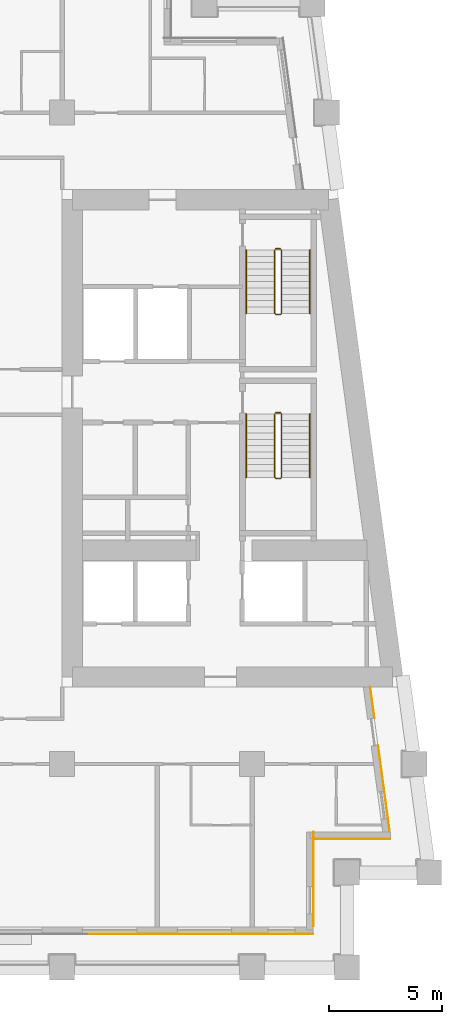
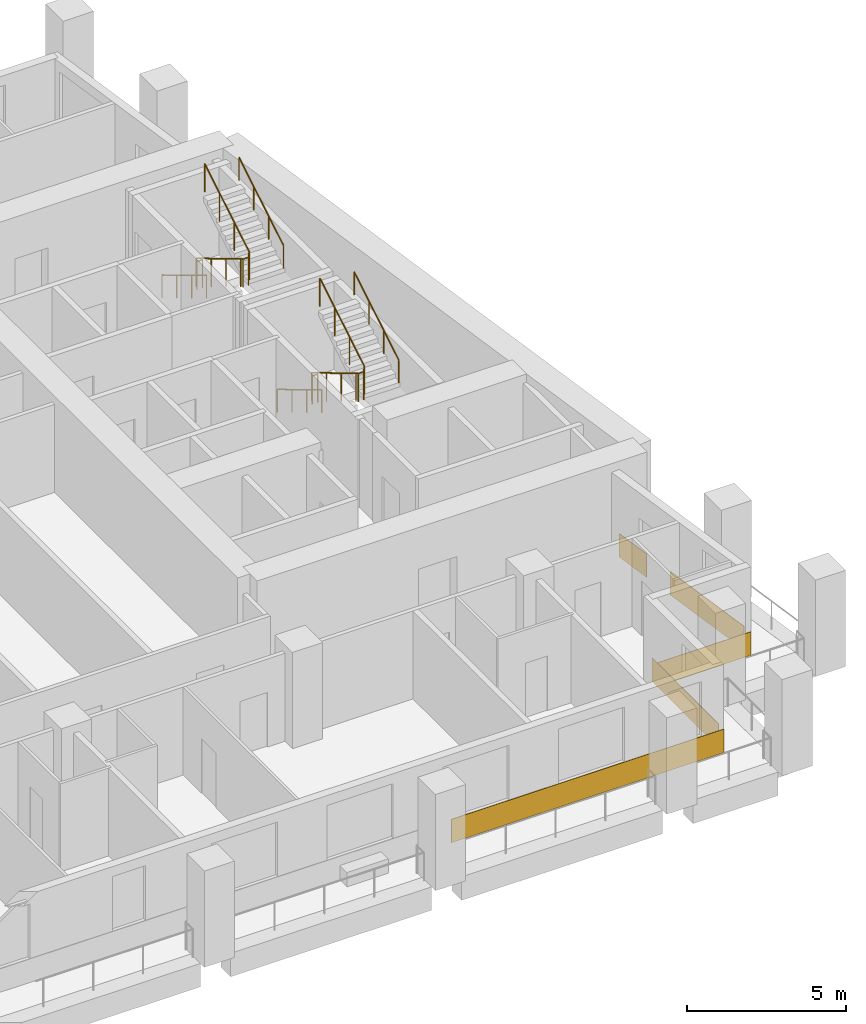
# One storey, part 11 of 13: 8 railings, 5 coverings.
"""IFC4 building model written with IfcOpenShell, lengths in metres."""

from ifc_helpers import new_model, si_unit, direction, frame, origin, origin_2d, place, context, subcontext, project, spatial, rectangle, circle, extrude, material, layer, layer_set, type_object, element, save


model = new_model("IFC4")

# Units and contexts
model_context = context("Model", 3, precision=1e-05, world=origin(), true_north=direction((0.0, 1.0)))
body_context = subcontext(model_context, "Body", "Model", "MODEL_VIEW")
ifc_project = project(units=[si_unit("LENGTHUNIT", "METRE"), si_unit("AREAUNIT", "SQUARE_METRE"), si_unit("VOLUMEUNIT", "CUBIC_METRE"), si_unit("PLANEANGLEUNIT", "RADIAN"), si_unit("MASSUNIT", "GRAM", prefix="KILO")], contexts=[model_context])

# Site, building, storey
site_placement = place(None, origin())
site = spatial("IfcSite", under=ifc_project, at=site_placement, CompositionType="ELEMENT")
building_placement = place(site_placement, origin())
building = spatial("IfcBuilding", under=site, at=building_placement, Name="Candeia Pilgrim Tower and Theatre", CompositionType="ELEMENT")
storey_placement = place(building_placement, frame((0.0, 0.0, 151.5)))
storey = spatial("IfcBuildingStorey", under=building, at=storey_placement, Name="L35", CompositionType="ELEMENT", Elevation=151.5)

# Coverings
ifc_material_1 = material(Name="Glazed ceramic tile rust")
ifc_layer = layer(ifc_material_1, 0.02001953125)
ifc_layer_set = layer_set([ifc_layer], Name="Glazed ceramic tile rust")
covering_type = type_object("IfcCoveringType", Name="Glazed ceramic tile rust", PredefinedType="CLADDING", material=ifc_layer_set)
covering_1_placement = place(storey_placement, frame((132.14990234375, 99.489990234375, 0.0), z_axis=(0.0, 0.0, 1.0), x_axis=(1.0, 0.0, 0.0)))
element("IfcCovering", 1, at=covering_1_placement, inside=storey, type_object=covering_type, Name="Tile cladding rust L35", PredefinedType="CLADDING", context=body_context, shape_type="SweptSolid", body=[
    extrude(rectangle(XDim=9.89990234375, YDim=0.02001953125, at=origin_2d()), origin(), (0.0, 0.0, 1.0), 0.89990234375),
])
covering_2_placement = place(storey_placement, frame((137.110107421875, 101.909912109375, 0.0), z_axis=(0.0, 0.0, 1.0), x_axis=(0.0, 1.0, 0.0)))
element("IfcCovering", 2, at=covering_2_placement, inside=storey, type_object=covering_type, Name="Tile cladding rust L35", PredefinedType="CLADDING", context=body_context, shape_type="SweptSolid", body=[
    extrude(rectangle(XDim=4.179931640625, YDim=0.02001953125, at=origin_2d()), origin(), (0.0, 0.0, 1.0), 0.89990234375),
])
covering_3_placement = place(storey_placement, frame((138.819580078125, 103.68994140625, 0.0), z_axis=(0.0, 0.0, 1.0), x_axis=(1.0, 0.0, 0.0)))
element("IfcCovering", 3, at=covering_3_placement, inside=storey, type_object=covering_type, Name="Tile cladding rust L35", PredefinedType="CLADDING", context=body_context, shape_type="SweptSolid", body=[
    extrude(rectangle(XDim=3.399169921875, YDim=0.02001953125, at=origin_2d()), origin(), (0.0, 0.0, 1.0), 0.89990234375),
])
covering_4_placement = place(storey_placement, frame((140.228515625, 105.933349609375, 0.0), z_axis=(0.0, 0.0, 1.0), x_axis=(-0.133412012145, 0.991060661622, 0.0)))
element("IfcCovering", 4, at=covering_4_placement, inside=storey, type_object=covering_type, Name="Tile cladding rust L35", PredefinedType="CLADDING", context=body_context, shape_type="SweptSolid", body=[
    extrude(rectangle(XDim=3.821044921875, YDim=0.02001953125, at=origin_2d()), origin(), (0.0, 0.0, 1.0), 0.89990234375),
])
covering_5_placement = place(storey_placement, frame((139.718994140625, 109.71875, 0.0), z_axis=(0.0, 0.0, 1.0), x_axis=(-0.133412012145, 0.991060661622, 0.0)))
element("IfcCovering", 5, at=covering_5_placement, inside=storey, type_object=covering_type, Name="Tile cladding rust L35", PredefinedType="CLADDING", context=body_context, shape_type="SweptSolid", body=[
    extrude(rectangle(XDim=1.41796875, YDim=0.02001953125, at=origin_2d()), origin(), (0.0, 0.0, 1.0), 0.89990234375),
])

# Railings
ifc_material_2 = material(Name="Stainless steel balustrade", Category="steel")
railing_type_1 = type_object("IfcRailingType", Name="RL-GUARD-1100", PredefinedType="GUARDRAIL", material=ifc_material_2)
railing_1_placement = place(storey_placement, frame((135.39794921875, 122.47509765625, 0.168212890625)))
element("IfcRailing", 6, at=railing_1_placement, inside=storey, type_object=railing_type_1, Name="L35 ST3 stair guard 1", PredefinedType="GUARDRAIL", context=body_context, shape_type="SweptSolid", body=[
    extrude(circle(Radius=0.02392578125, at=origin_2d()), frame((0.0, 0.0, 1.076171875), z_axis=(0.0, -0.857242210791, 0.514913383045), x_axis=(1.0, 0.0, 0.0)), (0.0, 0.0, 1.0), 3.266357421875),
    extrude(circle(Radius=0.02392578125, at=origin_2d()), frame((0.0, -2.800048828125, 2.7578125), z_axis=(0.707106781187, -0.707106781187, 0.0), x_axis=(0.707106781187, 0.707106781187, 0.0)), (0.0, 0.0, 1.0), 0.07080078125),
    extrude(circle(Radius=0.02392578125, at=origin_2d()), frame((0.050048828125, -2.85009765625, 2.7578125), z_axis=(1.0, 0.0, 0.0), x_axis=(0.0, 1.0, 0.0)), (0.0, 0.0, 1.0), 0.199951171875),
    extrude(circle(Radius=0.02392578125, at=origin_2d()), frame((0.25, -2.85009765625, 2.7578125), z_axis=(0.274582412415, 0.274582412415, 0.921525364591), x_axis=(-0.707106781187, 0.707106781187, 0.0)), (0.0, 0.0, 1.0), 0.182373046875),
    extrude(circle(Radius=0.02392578125, at=origin_2d()), frame((0.300048828125, -2.800048828125, 2.92578125), z_axis=(0.0, 0.857242210791, 0.514913383045), x_axis=(-1.0, 0.0, 0.0)), (0.0, 0.0, 1.0), 3.266357421875),
    extrude(circle(Radius=0.02099609375, at=origin_2d()), origin(), (0.0, 0.0, 1.0), 1.052001953125),
    extrude(circle(Radius=0.02099609375, at=origin_2d()), frame((0.0, -0.933349609375, 0.560546875)), (0.0, 0.0, 1.0), 1.052001953125),
    extrude(circle(Radius=0.02099609375, at=origin_2d()), frame((0.0, -1.86669921875, 1.121337890625)), (0.0, 0.0, 1.0), 1.052001953125),
    extrude(circle(Radius=0.02099609375, at=origin_2d()), frame((0.0, -2.800048828125, 1.681884765625)), (0.0, 0.0, 1.0), 1.052001953125),
    extrude(circle(Radius=0.02099609375, at=origin_2d()), frame((0.050048828125, -2.85009765625, 1.681884765625)), (0.0, 0.0, 1.0), 1.052001953125),
    extrude(circle(Radius=0.02099609375, at=origin_2d()), frame((0.25, -2.85009765625, 1.681884765625)), (0.0, 0.0, 1.0), 1.052001953125),
    extrude(circle(Radius=0.02099609375, at=origin_2d()), frame((0.300048828125, -2.800048828125, 1.849853515625)), (0.0, 0.0, 1.0), 1.052001953125),
    extrude(circle(Radius=0.02099609375, at=origin_2d()), frame((0.300048828125, -1.86669921875, 2.410400390625)), (0.0, 0.0, 1.0), 1.052001953125),
    extrude(circle(Radius=0.02099609375, at=origin_2d()), frame((0.300048828125, -0.933349609375, 2.97119140625)), (0.0, 0.0, 1.0), 1.052001953125),
    extrude(circle(Radius=0.02099609375, at=origin_2d()), frame((0.300048828125, 0.0, 3.53173828125)), (0.0, 0.0, 1.0), 1.052001953125),
])
railing_2_placement = place(storey_placement, frame((135.447998046875, 122.52490234375, 0.0)))
element("IfcRailing", 7, at=railing_2_placement, inside=storey, type_object=railing_type_1, Name="L35 ST3 stair guard 2", PredefinedType="GUARDRAIL", context=body_context, shape_type="SweptSolid", body=[
    extrude(circle(Radius=0.02392578125, at=origin_2d()), frame((0.0, 0.0, 1.076171875), z_axis=(1.0, 0.0, 0.0), x_axis=(0.0, 1.0, 0.0)), (0.0, 0.0, 1.0), 0.199951171875),
    extrude(circle(Radius=0.02099609375, at=origin_2d()), origin(), (0.0, 0.0, 1.0), 1.052001953125),
    extrude(circle(Radius=0.02099609375, at=origin_2d()), frame((0.199951171875, 0.0, 0.0)), (0.0, 0.0, 1.0), 1.052001953125),
])
railing_3_placement = place(storey_placement, frame((135.39794921875, 129.72509765625, 0.168212890625)))
element("IfcRailing", 8, at=railing_3_placement, inside=storey, type_object=railing_type_1, Name="L35 ST4 stair guard 1", PredefinedType="GUARDRAIL", context=body_context, shape_type="SweptSolid", body=[
    extrude(circle(Radius=0.02392578125, at=origin_2d()), frame((0.0, 0.0, 1.076171875), z_axis=(0.0, -0.857242210791, 0.514913383045), x_axis=(1.0, 0.0, 0.0)), (0.0, 0.0, 1.0), 3.266357421875),
    extrude(circle(Radius=0.02392578125, at=origin_2d()), frame((0.0, -2.800048828125, 2.7578125), z_axis=(0.707106781187, -0.707106781187, 0.0), x_axis=(0.707106781187, 0.707106781187, 0.0)), (0.0, 0.0, 1.0), 0.07080078125),
    extrude(circle(Radius=0.02392578125, at=origin_2d()), frame((0.050048828125, -2.85009765625, 2.7578125), z_axis=(1.0, 0.0, 0.0), x_axis=(0.0, 1.0, 0.0)), (0.0, 0.0, 1.0), 0.199951171875),
    extrude(circle(Radius=0.02392578125, at=origin_2d()), frame((0.25, -2.85009765625, 2.7578125), z_axis=(0.274582412415, 0.274582412415, 0.921525364591), x_axis=(-0.707106781187, 0.707106781187, 0.0)), (0.0, 0.0, 1.0), 0.182373046875),
    extrude(circle(Radius=0.02392578125, at=origin_2d()), frame((0.300048828125, -2.800048828125, 2.92578125), z_axis=(0.0, 0.857242210791, 0.514913383045), x_axis=(-1.0, 0.0, 0.0)), (0.0, 0.0, 1.0), 3.266357421875),
    extrude(circle(Radius=0.02099609375, at=origin_2d()), origin(), (0.0, 0.0, 1.0), 1.052001953125),
    extrude(circle(Radius=0.02099609375, at=origin_2d()), frame((0.0, -0.933349609375, 0.560546875)), (0.0, 0.0, 1.0), 1.052001953125),
    extrude(circle(Radius=0.02099609375, at=origin_2d()), frame((0.0, -1.86669921875, 1.121337890625)), (0.0, 0.0, 1.0), 1.052001953125),
    extrude(circle(Radius=0.02099609375, at=origin_2d()), frame((0.0, -2.800048828125, 1.681884765625)), (0.0, 0.0, 1.0), 1.052001953125),
    extrude(circle(Radius=0.02099609375, at=origin_2d()), frame((0.050048828125, -2.85009765625, 1.681884765625)), (0.0, 0.0, 1.0), 1.052001953125),
    extrude(circle(Radius=0.02099609375, at=origin_2d()), frame((0.25, -2.85009765625, 1.681884765625)), (0.0, 0.0, 1.0), 1.052001953125),
    extrude(circle(Radius=0.02099609375, at=origin_2d()), frame((0.300048828125, -2.800048828125, 1.849853515625)), (0.0, 0.0, 1.0), 1.052001953125),
    extrude(circle(Radius=0.02099609375, at=origin_2d()), frame((0.300048828125, -1.86669921875, 2.410400390625)), (0.0, 0.0, 1.0), 1.052001953125),
    extrude(circle(Radius=0.02099609375, at=origin_2d()), frame((0.300048828125, -0.933349609375, 2.97119140625)), (0.0, 0.0, 1.0), 1.052001953125),
    extrude(circle(Radius=0.02099609375, at=origin_2d()), frame((0.300048828125, 0.0, 3.53173828125)), (0.0, 0.0, 1.0), 1.052001953125),
])
railing_4_placement = place(storey_placement, frame((135.447998046875, 129.77490234375, 0.0)))
element("IfcRailing", 9, at=railing_4_placement, inside=storey, type_object=railing_type_1, Name="L35 ST4 stair guard 2", PredefinedType="GUARDRAIL", context=body_context, shape_type="SweptSolid", body=[
    extrude(circle(Radius=0.02392578125, at=origin_2d()), frame((0.0, 0.0, 1.076171875), z_axis=(1.0, 0.0, 0.0), x_axis=(0.0, 1.0, 0.0)), (0.0, 0.0, 1.0), 0.199951171875),
    extrude(circle(Radius=0.02099609375, at=origin_2d()), origin(), (0.0, 0.0, 1.0), 1.052001953125),
    extrude(circle(Radius=0.02099609375, at=origin_2d()), frame((0.199951171875, 0.0, 0.0)), (0.0, 0.0, 1.0), 1.052001953125),
])
ifc_material_3 = material(Name="Stainless steel handrail", Category="steel")
railing_type_2 = type_object("IfcRailingType", Name="RL-HANDRAIL-900", PredefinedType="HANDRAIL", material=ifc_material_3)
railing_5_placement = place(storey_placement, frame((134.14794921875, 122.47509765625, 0.168212890625)))
element("IfcRailing", 10, at=railing_5_placement, inside=storey, type_object=railing_type_2, Name="L35 ST3 stair handrail 1", PredefinedType="HANDRAIL", context=body_context, shape_type="SweptSolid", body=[
    extrude(circle(Radius=0.02392578125, at=origin_2d()), frame((0.0, 0.0, 0.8759765625), z_axis=(0.0, -0.857242210791, 0.514913383045), x_axis=(1.0, 0.0, 0.0)), (0.0, 0.0, 1.0), 3.266357421875),
    extrude(circle(Radius=0.02099609375, at=origin_2d()), origin(), (0.0, 0.0, 1.0), 0.851806640625),
    extrude(circle(Radius=0.02099609375, at=origin_2d()), frame((0.0, -0.933349609375, 0.560546875)), (0.0, 0.0, 1.0), 0.851806640625),
    extrude(circle(Radius=0.02099609375, at=origin_2d()), frame((0.0, -1.86669921875, 1.121337890625)), (0.0, 0.0, 1.0), 0.851806640625),
    extrude(circle(Radius=0.02099609375, at=origin_2d()), frame((0.0, -2.800048828125, 1.681884765625)), (0.0, 0.0, 1.0), 0.851806640625),
])
railing_6_placement = place(storey_placement, frame((136.947998046875, 119.675048828125, 2.01806640625)))
element("IfcRailing", 11, at=railing_6_placement, inside=storey, type_object=railing_type_2, Name="L35 ST3 stair handrail 2", PredefinedType="HANDRAIL", context=body_context, shape_type="SweptSolid", body=[
    extrude(circle(Radius=0.02392578125, at=origin_2d()), frame((0.0, 0.0, 0.8759765625), z_axis=(0.0, 0.857242210791, 0.514913383045), x_axis=(-1.0, 0.0, 0.0)), (0.0, 0.0, 1.0), 3.266357421875),
    extrude(circle(Radius=0.02099609375, at=origin_2d()), origin(), (0.0, 0.0, 1.0), 0.851806640625),
    extrude(circle(Radius=0.02099609375, at=origin_2d()), frame((0.0, 0.933349609375, 0.560546875)), (0.0, 0.0, 1.0), 0.851806640625),
    extrude(circle(Radius=0.02099609375, at=origin_2d()), frame((0.0, 1.86669921875, 1.121337890625)), (0.0, 0.0, 1.0), 0.851806640625),
    extrude(circle(Radius=0.02099609375, at=origin_2d()), frame((0.0, 2.800048828125, 1.681884765625)), (0.0, 0.0, 1.0), 0.851806640625),
])
railing_7_placement = place(storey_placement, frame((134.14794921875, 129.72509765625, 0.168212890625)))
element("IfcRailing", 12, at=railing_7_placement, inside=storey, type_object=railing_type_2, Name="L35 ST4 stair handrail 1", PredefinedType="HANDRAIL", context=body_context, shape_type="SweptSolid", body=[
    extrude(circle(Radius=0.02392578125, at=origin_2d()), frame((0.0, 0.0, 0.8759765625), z_axis=(0.0, -0.857242210791, 0.514913383045), x_axis=(1.0, 0.0, 0.0)), (0.0, 0.0, 1.0), 3.266357421875),
    extrude(circle(Radius=0.02099609375, at=origin_2d()), origin(), (0.0, 0.0, 1.0), 0.851806640625),
    extrude(circle(Radius=0.02099609375, at=origin_2d()), frame((0.0, -0.933349609375, 0.560546875)), (0.0, 0.0, 1.0), 0.851806640625),
    extrude(circle(Radius=0.02099609375, at=origin_2d()), frame((0.0, -1.86669921875, 1.121337890625)), (0.0, 0.0, 1.0), 0.851806640625),
    extrude(circle(Radius=0.02099609375, at=origin_2d()), frame((0.0, -2.800048828125, 1.681884765625)), (0.0, 0.0, 1.0), 0.851806640625),
])
railing_8_placement = place(storey_placement, frame((136.947998046875, 126.925048828125, 2.01806640625)))
element("IfcRailing", 13, at=railing_8_placement, inside=storey, type_object=railing_type_2, Name="L35 ST4 stair handrail 2", PredefinedType="HANDRAIL", context=body_context, shape_type="SweptSolid", body=[
    extrude(circle(Radius=0.02392578125, at=origin_2d()), frame((0.0, 0.0, 0.8759765625), z_axis=(0.0, 0.857242210791, 0.514913383045), x_axis=(-1.0, 0.0, 0.0)), (0.0, 0.0, 1.0), 3.266357421875),
    extrude(circle(Radius=0.02099609375, at=origin_2d()), origin(), (0.0, 0.0, 1.0), 0.851806640625),
    extrude(circle(Radius=0.02099609375, at=origin_2d()), frame((0.0, 0.933349609375, 0.560546875)), (0.0, 0.0, 1.0), 0.851806640625),
    extrude(circle(Radius=0.02099609375, at=origin_2d()), frame((0.0, 1.86669921875, 1.121337890625)), (0.0, 0.0, 1.0), 0.851806640625),
    extrude(circle(Radius=0.02099609375, at=origin_2d()), frame((0.0, 2.800048828125, 1.681884765625)), (0.0, 0.0, 1.0), 0.851806640625),
])

save(model, "model.ifc")
